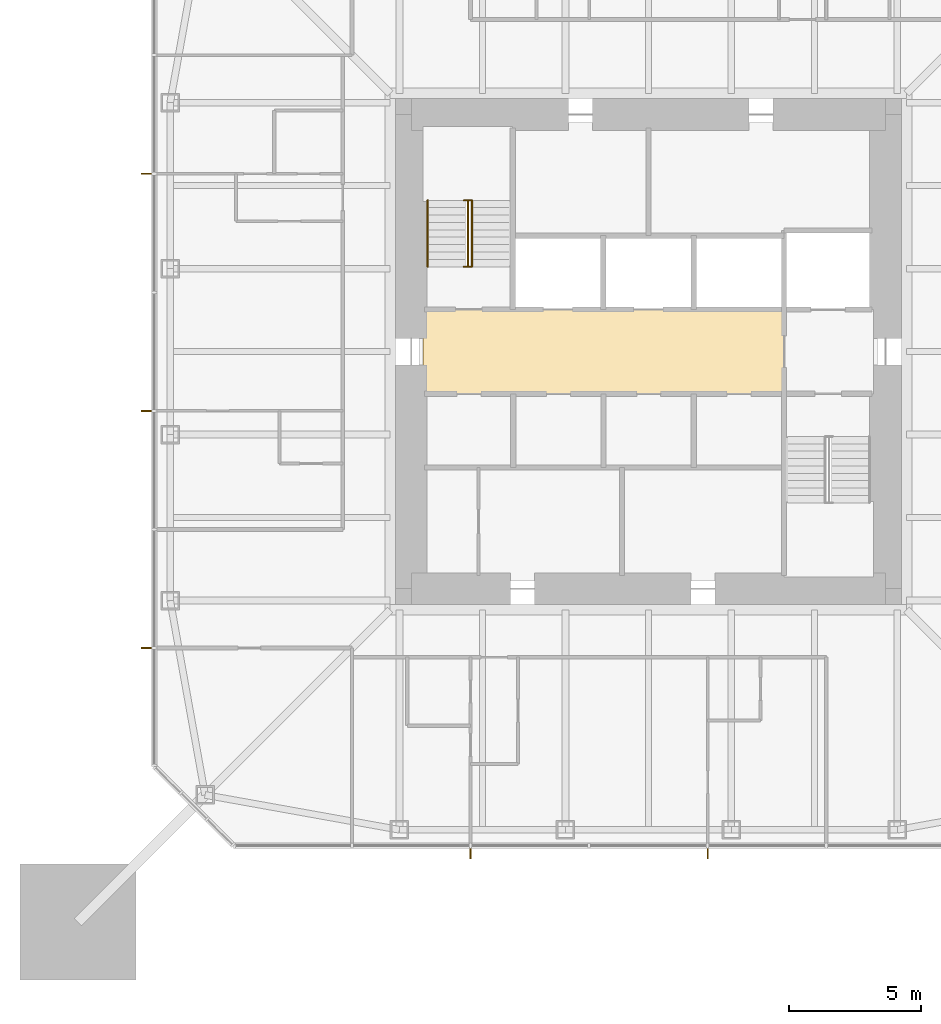
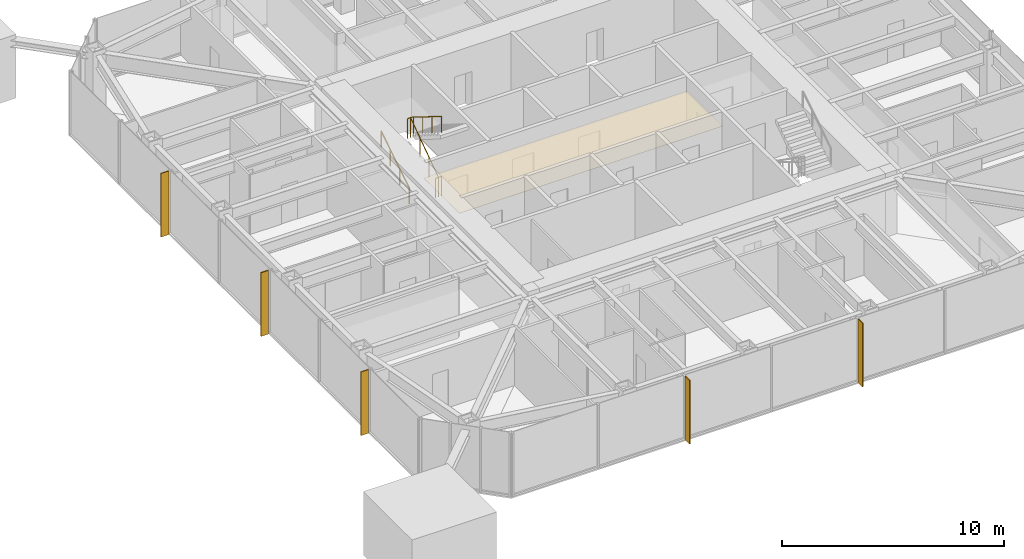
# One storey, part 9 of 11: 5 shading devices, 3 railings, 1 covering.
"""IFC4 building model written with IfcOpenShell, lengths in metres."""

from ifc_helpers import new_model, si_unit, direction, frame, origin, origin_2d, place, context, subcontext, project, spatial, polyline, rectangle, circle, outline, extrude, material, layer, layer_set, constituent, constituent_set, type_object, element, save


model = new_model("IFC4")

# Units and contexts
model_context = context("Model", 3, precision=1e-05, world=origin(), true_north=direction((0.0, 1.0)))
body_context = subcontext(model_context, "Body", "Model", "MODEL_VIEW")
ifc_project = project(units=[si_unit("LENGTHUNIT", "METRE"), si_unit("AREAUNIT", "SQUARE_METRE"), si_unit("VOLUMEUNIT", "CUBIC_METRE"), si_unit("PLANEANGLEUNIT", "RADIAN"), si_unit("MASSUNIT", "GRAM", prefix="KILO")], contexts=[model_context])

# Site, building, storey
site_placement = place(None, origin())
site = spatial("IfcSite", under=ifc_project, at=site_placement, CompositionType="ELEMENT")
building_placement = place(site_placement, origin())
building = spatial("IfcBuilding", under=site, at=building_placement, Name="Iwan Alto Co-Living Towers", CompositionType="ELEMENT")
storey_placement = place(building_placement, frame((0.0, 0.0, 181.0)))
storey = spatial("IfcBuildingStorey", under=building, at=storey_placement, Name="L49", CompositionType="ELEMENT", Elevation=181.0)

# Covering
ifc_material_1 = material(Name="Mineral fibre acoustic tiles on steel grid", Category="steel")
ifc_layer_1 = layer(ifc_material_1, 0.02001953125)
ifc_layer_set_1 = layer_set([ifc_layer_1], Name="ACOUSTIC TILE CEILING 20")
covering_type = type_object("IfcCoveringType", Name="ACOUSTIC TILE CEILING 20", PredefinedType="CEILING", material=ifc_layer_set_1)
covering_placement = place(storey_placement, frame((0.0, 0.0, 2.60009765625)))
element("IfcCovering", 1, at=covering_placement, inside=storey, type_object=covering_type, Name="Ceiling Lift lobby L49", PredefinedType="CEILING", context=body_context, shape_type="SweptSolid", body=[
    extrude(outline(polyline([(-8.550048828125, -1.60009765625), (-8.550048828125, 1.60009765625), (5.14990234375, 1.60009765625), (5.14990234375, -1.60009765625), (-8.550048828125, -1.60009765625)])), origin(), (0.0, 0.0, 1.0), 0.02001953125),
])

# Shading devices
ifc_material_2 = material(Name="Aluminium 6063-T6 bronze anodised", Category="aluminium")
ifc_layer_2 = layer(ifc_material_2, 0.050048828125)
ifc_layer_set_2 = layer_set([ifc_layer_2], Name="BRONZE FIN 50X400")
shading_device_type = type_object("IfcShadingDeviceType", Name="BRONZE FIN 50X400", PredefinedType="USERDEFINED", material=ifc_layer_set_2)
for number, where, z_axis, x_axis, name in (
    (2, (-6.75, -19.050048828125, 0.0), (0.0, 0.0, 1.0), (1.0, 0.0, 0.0), "Bronze fin L49"),
    (3, (2.25, -19.050048828125, 0.0), (0.0, 0.0, 1.0), (1.0, 0.0, 0.0), "Bronze fin L49"),
    (4, (-19.050048828125, 6.75, 0.0), (0.0, 0.0, 1.0), (0.0, -1.0, 0.0), "Bronze fin L49"),
    (5, (-19.050048828125, -2.25, 0.0), (0.0, 0.0, 1.0), (0.0, -1.0, 0.0), "Bronze fin L49"),
    (6, (-19.050048828125, -11.25, 0.0), (0.0, 0.0, 1.0), (0.0, -1.0, 0.0), "Bronze fin L49"),
):
    element("IfcShadingDevice", number, at=place(storey_placement, frame(where, z_axis=z_axis, x_axis=x_axis)), inside=storey, type_object=shading_device_type, Name=name, ObjectType="LOUVER", PredefinedType="USERDEFINED", context=body_context, shape_type="SweptSolid", body=[
        extrude(rectangle(XDim=0.050048828125, YDim=0.39990234375, at=origin_2d()), origin(), (0.0, 0.0, 1.0), 3.5),
    ])

# Railings
ifc_material_3 = material(Name="Steel ASTM A500 Gr C", Category="steel")
ifc_constituent_1 = constituent(ifc_material_3, Name="Rails and posts", Category="Framing")
ifc_material_4 = material(Name="Steel ASTM A36", Category="steel")
ifc_constituent_2 = constituent(ifc_material_4, Name="Bar infill", Category="Infill")
ifc_constituent_set = constituent_set(constituents=[ifc_constituent_1, ifc_constituent_2], Name="STAIR GUARD 1100")
railing_type_1 = type_object("IfcRailingType", Name="STAIR GUARD 1100", PredefinedType="GUARDRAIL", material=ifc_constituent_set)
railing_1_placement = place(storey_placement, frame((-6.85009765625, 3.219970703125, 0.0)))
element("IfcRailing", 7, at=railing_1_placement, inside=storey, type_object=railing_type_1, Name="Stair T1-S1 well guard L49", PredefinedType="GUARDRAIL", context=body_context, shape_type="SweptSolid", body=[
    extrude(circle(Radius=0.02392578125, at=origin_2d()), frame((0.0, 0.0, 1.076171875), z_axis=(0.0, 0.821372036852, 0.570392826987), x_axis=(-1.0, 0.0, 0.0)), (0.0, 0.0, 1.0), 3.068115234375),
    extrude(circle(Radius=0.02392578125, at=origin_2d()), frame((-0.14990234375, 0.0, 1.076171875), z_axis=(1.0, 0.0, 0.0), x_axis=(0.0, 1.0, 0.0)), (0.0, 0.0, 1.0), 0.300048828125),
    extrude(circle(Radius=0.02392578125, at=origin_2d()), frame((-0.14990234375, 2.52001953125, 2.826171875), z_axis=(1.0, 0.0, 0.0), x_axis=(0.0, 1.0, 0.0)), (0.0, 0.0, 1.0), 0.300048828125),
    extrude(circle(Radius=0.02099609375, at=origin_2d()), origin(), (0.0, 0.0, 1.0), 1.052001953125),
    extrude(circle(Radius=0.02099609375, at=origin_2d()), frame((0.0, 0.840087890625, 0.583251953125)), (0.0, 0.0, 1.0), 1.052001953125),
    extrude(circle(Radius=0.02099609375, at=origin_2d()), frame((0.0, 1.679931640625, 1.166748046875)), (0.0, 0.0, 1.0), 1.052001953125),
    extrude(circle(Radius=0.02099609375, at=origin_2d()), frame((0.0, 2.52001953125, 1.75)), (0.0, 0.0, 1.0), 1.052001953125),
    extrude(circle(Radius=0.02099609375, at=origin_2d()), frame((-0.14990234375, 0.0, 0.0)), (0.0, 0.0, 1.0), 1.052001953125),
    extrude(circle(Radius=0.02099609375, at=origin_2d()), frame((0.150146484375, 0.0, 0.0)), (0.0, 0.0, 1.0), 1.052001953125),
    extrude(circle(Radius=0.02099609375, at=origin_2d()), frame((-0.14990234375, 2.52001953125, 1.75)), (0.0, 0.0, 1.0), 1.052001953125),
    extrude(circle(Radius=0.02099609375, at=origin_2d()), frame((0.150146484375, 2.52001953125, 1.75)), (0.0, 0.0, 1.0), 1.052001953125),
])
ifc_material_5 = material(Name="Steel ASTM A500 Gr C", Category="steel")
railing_type_2 = type_object("IfcRailingType", Name="STAIR HANDRAIL 900", PredefinedType="HANDRAIL", material=ifc_material_5)
railing_2_placement = place(storey_placement, frame((-8.3798828125, 3.219970703125, 0.175048828125)))
element("IfcRailing", 8, at=railing_2_placement, inside=storey, type_object=railing_type_2, Name="Stair T1-S1 handrail 1 L49", PredefinedType="HANDRAIL", context=body_context, shape_type="SweptSolid", body=[
    extrude(circle(Radius=0.02392578125, at=origin_2d()), frame((0.0, 0.0, 0.8759765625), z_axis=(0.0, 0.848007534815, 0.529984170421), x_axis=(-1.0, 0.0, 0.0)), (0.0, 0.0, 1.0), 2.9716796875),
    extrude(circle(Radius=0.02099609375, at=origin_2d()), origin(), (0.0, 0.0, 1.0), 0.851806640625),
    extrude(circle(Radius=0.02099609375, at=origin_2d()), frame((0.0, 0.840087890625, 0.52490234375)), (0.0, 0.0, 1.0), 0.851806640625),
    extrude(circle(Radius=0.02099609375, at=origin_2d()), frame((0.0, 1.679931640625, 1.050048828125)), (0.0, 0.0, 1.0), 0.851806640625),
    extrude(circle(Radius=0.02099609375, at=origin_2d()), frame((0.0, 2.52001953125, 1.574951171875)), (0.0, 0.0, 1.0), 0.851806640625),
])
railing_3_placement = place(storey_placement, frame((-6.699951171875, 5.739990234375, 1.925048828125)))
element("IfcRailing", 9, at=railing_3_placement, inside=storey, type_object=railing_type_2, Name="Stair T1-S1 handrail 2 L49", PredefinedType="HANDRAIL", context=body_context, shape_type="SweptSolid", body=[
    extrude(circle(Radius=0.02392578125, at=origin_2d()), frame((0.0, 0.0, 0.8759765625), z_axis=(0.0, -0.848007534815, 0.529984170421), x_axis=(1.0, 0.0, 0.0)), (0.0, 0.0, 1.0), 2.9716796875),
    extrude(circle(Radius=0.02099609375, at=origin_2d()), origin(), (0.0, 0.0, 1.0), 0.851806640625),
    extrude(circle(Radius=0.02099609375, at=origin_2d()), frame((0.0, -0.840087890625, 0.52490234375)), (0.0, 0.0, 1.0), 0.851806640625),
    extrude(circle(Radius=0.02099609375, at=origin_2d()), frame((0.0, -1.679931640625, 1.050048828125)), (0.0, 0.0, 1.0), 0.851806640625),
    extrude(circle(Radius=0.02099609375, at=origin_2d()), frame((0.0, -2.52001953125, 1.574951171875)), (0.0, 0.0, 1.0), 0.851806640625),
])

save(model, "model.ifc")
